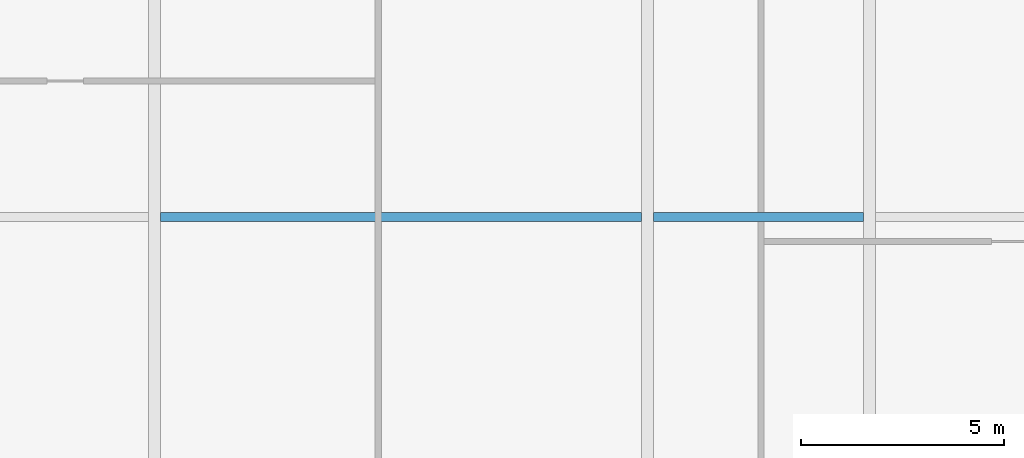
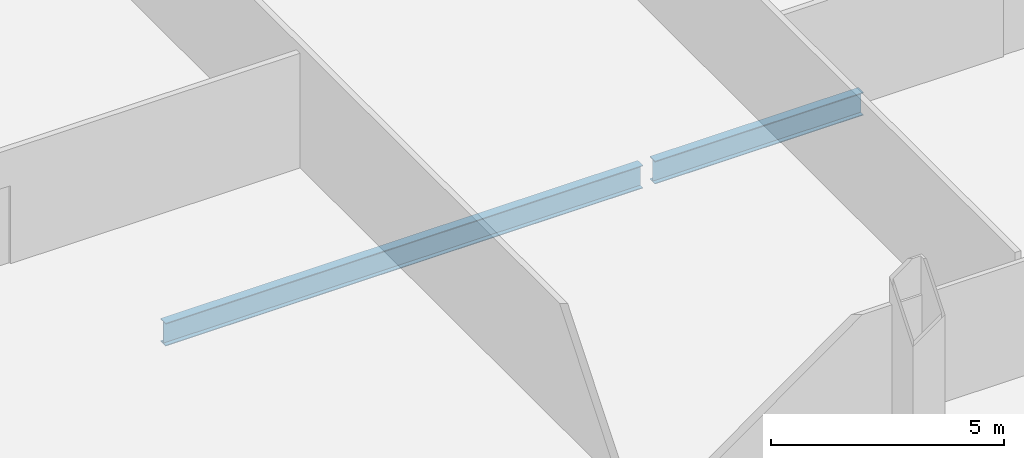
# One storey, part 13 of 32: 2 beams.
"""IFC4 building model written with IfcOpenShell, lengths in metres."""

from ifc_helpers import new_model, si_unit, direction, frame, origin, origin_2d, place, context, subcontext, project, spatial, i_section, extrude, material, material_profile, profile_set, type_object, element, save


model = new_model("IFC4")

# Units and contexts
model_context = context("Model", 3, precision=1e-05, world=origin(), true_north=direction((0.0, 1.0)))
body_context = subcontext(model_context, "Body", "Model", "MODEL_VIEW")
ifc_project = project(units=[si_unit("LENGTHUNIT", "METRE"), si_unit("AREAUNIT", "SQUARE_METRE"), si_unit("VOLUMEUNIT", "CUBIC_METRE"), si_unit("PLANEANGLEUNIT", "RADIAN"), si_unit("MASSUNIT", "GRAM", prefix="KILO")], contexts=[model_context])

# Site, building, storey
site_placement = place(None, origin())
site = spatial("IfcSite", under=ifc_project, at=site_placement, CompositionType="ELEMENT")
building_placement = place(site_placement, origin())
building = spatial("IfcBuilding", under=site, at=building_placement, Name="Khoronbel Lancet Exchange", CompositionType="ELEMENT")
storey_placement = place(building_placement, frame((0.0, 0.0, 41.800048828125)))
storey = spatial("IfcBuildingStorey", under=building, at=storey_placement, Name="L09", CompositionType="ELEMENT", Elevation=41.800048828125)

# Beams
ifc_material = material(Name="Steel S355", Category="steel")
ifc_material_profile = material_profile(ifc_material, i_section(OverallWidth=0.219970703125, OverallDepth=0.60009765625, WebThickness=0.011962890625, FlangeThickness=0.01904296875, at=origin_2d()), Name="IPE 600")
ifc_profile_set = profile_set([ifc_material_profile], Name="Steel S355")
beam_type = type_object("IfcBeamType", Name="BM-BJ1", PredefinedType="JOIST", material=ifc_profile_set)
beam_1_placement = place(storey_placement, frame((30.52490234375, 21.800048828125, -0.47998046875), z_axis=(1.0, 0.0, 0.0), x_axis=(0.0, 1.0, 0.0)))
element("IfcBeam", 1, at=beam_1_placement, inside=storey, type_object=beam_type, Name="Level L09 secondary composite joist J08", PredefinedType="JOIST", context=body_context, shape_type="SweptSolid", body=[
    extrude(i_section(OverallWidth=0.219970703125, OverallDepth=0.60009765625, WebThickness=0.011962890625, FlangeThickness=0.01904296875, at=origin_2d()), origin(), (0.0, 0.0, 1.0), 11.85009765625),
])
beam_2_placement = place(storey_placement, frame((42.675048828125, 21.800048828125, -0.47998046875), z_axis=(1.0, 0.0, 0.0), x_axis=(0.0, 1.0, 0.0)))
element("IfcBeam", 2, at=beam_2_placement, inside=storey, type_object=beam_type, Name="Level L09 secondary composite joist J09", PredefinedType="JOIST", context=body_context, shape_type="SweptSolid", body=[
    extrude(i_section(OverallWidth=0.219970703125, OverallDepth=0.60009765625, WebThickness=0.011962890625, FlangeThickness=0.01904296875, at=origin_2d()), origin(), (0.0, 0.0, 1.0), 5.175048828125),
])

save(model, "model.ifc")
